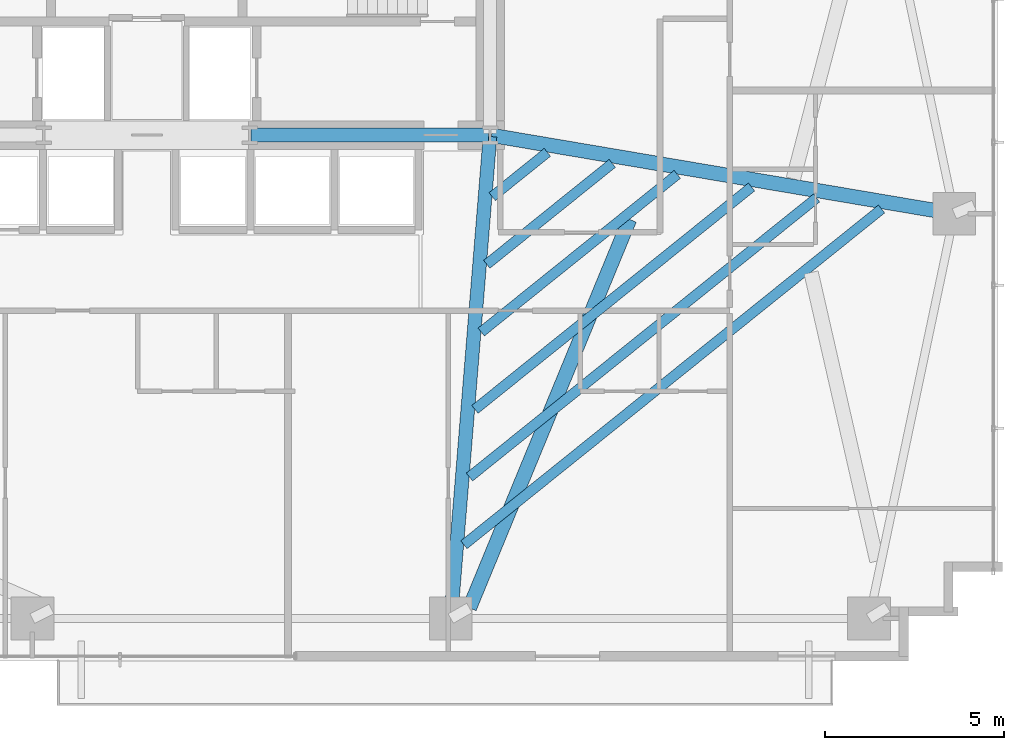
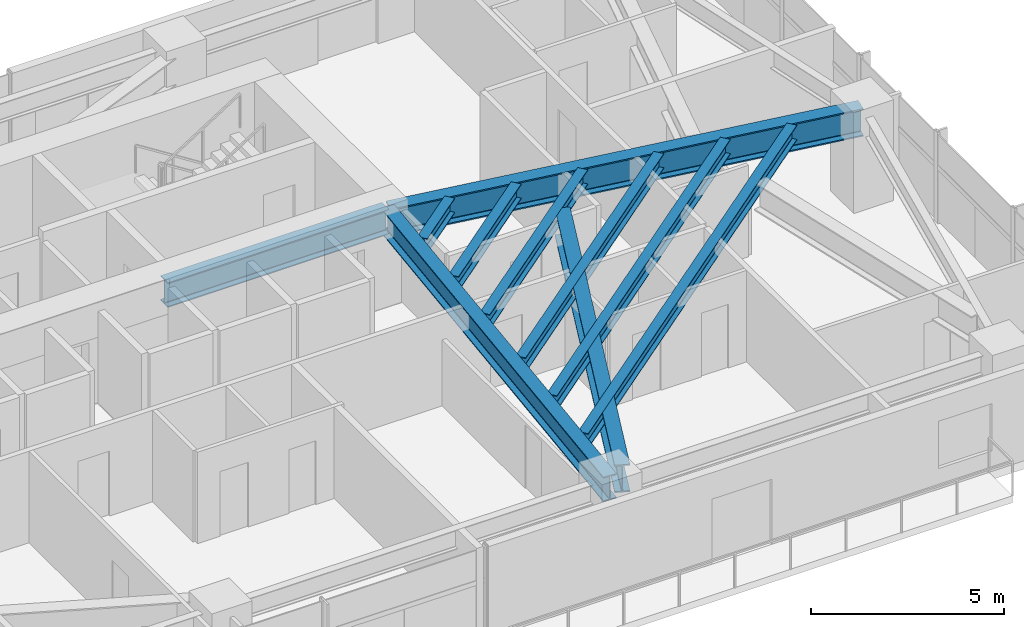
# One storey, part 13 of 25: 10 beams.
"""IFC4 building model written with IfcOpenShell, lengths in metres."""

from ifc_helpers import new_model, si_unit, direction, frame, origin, origin_2d, place, context, subcontext, project, spatial, i_section, extrude, source, transform, mapped, material, material_profile, profile_set, type_object, type_shapes, element, save


model = new_model("IFC4")

# Units and contexts
model_context = context("Model", 3, precision=1e-05, world=origin(), true_north=direction((0.0, 1.0)))
body_context = subcontext(model_context, "Body", "Model", "MODEL_VIEW")
ifc_project = project(units=[si_unit("LENGTHUNIT", "METRE"), si_unit("AREAUNIT", "SQUARE_METRE"), si_unit("VOLUMEUNIT", "CUBIC_METRE"), si_unit("PLANEANGLEUNIT", "RADIAN"), si_unit("MASSUNIT", "GRAM", prefix="KILO")], contexts=[model_context])

# Site, building, storey
site_placement = place(None, origin())
site = spatial("IfcSite", under=ifc_project, at=site_placement, CompositionType="ELEMENT")
building_placement = place(site_placement, origin())
building = spatial("IfcBuilding", under=site, at=building_placement, Name="Astriad Promenade Condominiums", CompositionType="ELEMENT")
storey_placement = place(building_placement, frame((0.0, 0.0, 64.60009765625)))
storey = spatial("IfcBuildingStorey", under=building, at=storey_placement, Name="L18", CompositionType="ELEMENT", Elevation=64.60009765625)

# Beams
ifc_material = material(Name="Steel ASTM A992 Grade 50", Category="steel")
ifc_material_profile_1 = material_profile(ifc_material, i_section(OverallWidth=0.3837890625, OverallDepth=0.785888671875, WebThickness=0.019775390625, FlangeThickness=0.033447265625, FilletRadius=0.021484375, at=origin_2d()), Name="W30X211")
ifc_profile_set_1 = profile_set([ifc_material_profile_1], Name="Steel ASTM A992 Grade 50")
beam_type_1 = type_object("IfcBeamType", Name="STEEL FLOOR GIRDER W30X211", PredefinedType="BEAM", material=ifc_profile_set_1)
shared_shape_1 = source(origin(), body_context, "Body", "SweptSolid", [
    extrude(i_section(OverallWidth=0.3837890625, OverallDepth=0.785888671875, WebThickness=0.019775390625, FlangeThickness=0.033447265625, FilletRadius=0.021484375, at=origin_2d()), origin(), (0.0, 0.0, 1.0), 6.64013671875),
])
beam_1_placement = place(storey_placement, frame((38.919921875, 17.39990234375, 2.507080078125), z_axis=(1.0, 0.0, 0.0), x_axis=(0.0, 1.0, 0.0)))
element("IfcBeam", 1, at=beam_1_placement, inside=storey, type_object=beam_type_1, Name="Core Ring Beam CG-S3-L18", PredefinedType="BEAM", context=body_context, shape_type="MappedRepresentation", body=[
    mapped(shared_shape_1, transform((0.0, 0.0, 0.0), scale=1.0)),
])
shared_shape_2 = source(origin(), body_context, "Body", "SweptSolid", [
    extrude(i_section(OverallWidth=0.3837890625, OverallDepth=0.785888671875, WebThickness=0.019775390625, FlangeThickness=0.033447265625, FilletRadius=0.021484375, at=origin_2d()), origin(), (0.0, 0.0, 1.0), 13.484619140625),
])
type_shapes(beam_type_1, [shared_shape_1, shared_shape_2])
beam_2_placement = place(storey_placement, frame((44.503173828125, 3.919921875, 2.507080078125), z_axis=(0.081092961134, 0.996706542396, 0.0), x_axis=(-0.996706542396, 0.081092961134, 0.0)))
element("IfcBeam", 2, at=beam_2_placement, inside=storey, type_object=beam_type_1, Name="Primary Floor Girder PG-E2-L18", PredefinedType="BEAM", context=body_context, shape_type="MappedRepresentation", body=[
    mapped(shared_shape_2, transform((0.0, 0.0, 0.0), scale=1.0)),
])
ifc_material_profile_2 = material_profile(ifc_material, i_section(OverallWidth=0.4013671875, OverallDepth=0.877197265625, WebThickness=0.022216796875, FlangeThickness=0.039794921875, FilletRadius=0.02294921875, at=origin_2d()), Name="W33X263")
ifc_profile_set_2 = profile_set([ifc_material_profile_2], Name="Steel ASTM A992 Grade 50")
beam_type_2 = type_object("IfcBeamType", Name="STEEL PRIMARY GIRDER W33X263", PredefinedType="BEAM", material=ifc_profile_set_2)
shared_shape_3 = source(origin(), body_context, "Body", "SweptSolid", [
    extrude(i_section(OverallWidth=0.4013671875, OverallDepth=0.877197265625, WebThickness=0.022216796875, FlangeThickness=0.039794921875, FilletRadius=0.02294921875, at=origin_2d()), origin(), (0.0, 0.0, 1.0), 13.085205078125),
])
type_shapes(beam_type_2, [shared_shape_3])
beam_3_placement = place(storey_placement, frame((58.54052734375, 15.206787109375, 2.461181640625), z_axis=(-0.985939912267, 0.167100237577, 0.0), x_axis=(-0.167100237577, -0.985939912267, 0.0)))
element("IfcBeam", 3, at=beam_3_placement, inside=storey, type_object=beam_type_2, Name="Primary Floor Girder PG-EM-L18", PredefinedType="BEAM", context=body_context, shape_type="MappedRepresentation", body=[
    mapped(shared_shape_3, transform((0.0, 0.0, 0.0), scale=1.0)),
])
ifc_material_profile_3 = material_profile(ifc_material, i_section(OverallWidth=0.283203125, OverallDepth=0.47216796875, WebThickness=0.013671875, FlangeThickness=0.022216796875, FilletRadius=0.01513671875, at=origin_2d()), Name="W18X97")
ifc_profile_set_3 = profile_set([ifc_material_profile_3], Name="Steel ASTM A992 Grade 50")
beam_type_3 = type_object("IfcBeamType", Name="STEEL FLOOR JOIST W18X97", PredefinedType="JOIST", material=ifc_profile_set_3)
shared_shape_4 = source(origin(), body_context, "Body", "SweptSolid", [
    extrude(i_section(OverallWidth=0.283203125, OverallDepth=0.47216796875, WebThickness=0.013671875, FlangeThickness=0.022216796875, FilletRadius=0.01513671875, at=origin_2d()), origin(), (0.0, 0.0, 1.0), 14.984375),
])
beam_4_placement = place(storey_placement, frame((44.867919921875, 5.944580078125, 2.663818359375), z_axis=(0.77934368876, 0.626596692291, 0.0), x_axis=(-0.626596692291, 0.77934368876, 0.0)))
element("IfcBeam", 4, at=beam_4_placement, inside=storey, type_object=beam_type_3, Name="Secondary Composite Floor Joist JE1-1-L18", PredefinedType="JOIST", context=body_context, shape_type="MappedRepresentation", body=[
    mapped(shared_shape_4, transform((0.0, 0.0, 0.0), scale=1.0)),
])
shared_shape_5 = source(origin(), body_context, "Body", "SweptSolid", [
    extrude(i_section(OverallWidth=0.283203125, OverallDepth=0.47216796875, WebThickness=0.013671875, FlangeThickness=0.022216796875, FilletRadius=0.01513671875, at=origin_2d()), origin(), (0.0, 0.0, 1.0), 12.455078125),
])
beam_5_placement = place(storey_placement, frame((45.021728515625, 7.83740234375, 2.663818359375), z_axis=(0.77935577594, 0.626581658292, 0.0), x_axis=(-0.626581658292, 0.77935577594, 0.0)))
element("IfcBeam", 5, at=beam_5_placement, inside=storey, type_object=beam_type_3, Name="Secondary Composite Floor Joist JE1-2-L18", PredefinedType="JOIST", context=body_context, shape_type="MappedRepresentation", body=[
    mapped(shared_shape_5, transform((0.0, 0.0, 0.0), scale=1.0)),
])
shared_shape_6 = source(origin(), body_context, "Body", "SweptSolid", [
    extrude(i_section(OverallWidth=0.283203125, OverallDepth=0.47216796875, WebThickness=0.013671875, FlangeThickness=0.022216796875, FilletRadius=0.01513671875, at=origin_2d()), origin(), (0.0, 0.0, 1.0), 9.926025390625),
])
beam_6_placement = place(storey_placement, frame((45.17578125, 9.730224609375, 2.663818359375), z_axis=(0.779352355084, 0.626585913203, 0.0), x_axis=(-0.626585913203, 0.779352355084, 0.0)))
element("IfcBeam", 6, at=beam_6_placement, inside=storey, type_object=beam_type_3, Name="Secondary Composite Floor Joist JE1-3-L18", PredefinedType="JOIST", context=body_context, shape_type="MappedRepresentation", body=[
    mapped(shared_shape_6, transform((0.0, 0.0, 0.0), scale=1.0)),
])
shared_shape_7 = source(origin(), body_context, "Body", "SweptSolid", [
    extrude(i_section(OverallWidth=0.283203125, OverallDepth=0.47216796875, WebThickness=0.013671875, FlangeThickness=0.022216796875, FilletRadius=0.01513671875, at=origin_2d()), origin(), (0.0, 0.0, 1.0), 7.03515625),
])
beam_7_placement = place(storey_placement, frame((45.351806640625, 11.8935546875, 2.663818359375), z_axis=(0.779349752639, 0.626589150131, 0.0), x_axis=(-0.626589150131, 0.779349752639, 0.0)))
element("IfcBeam", 7, at=beam_7_placement, inside=storey, type_object=beam_type_3, Name="Secondary Composite Floor Joist JE1-4-L18", PredefinedType="JOIST", context=body_context, shape_type="MappedRepresentation", body=[
    mapped(shared_shape_7, transform((0.0, 0.0, 0.0), scale=1.0)),
])
shared_shape_8 = source(origin(), body_context, "Body", "SweptSolid", [
    extrude(i_section(OverallWidth=0.283203125, OverallDepth=0.47216796875, WebThickness=0.013671875, FlangeThickness=0.022216796875, FilletRadius=0.01513671875, at=origin_2d()), origin(), (0.0, 0.0, 1.0), 4.505859375),
])
beam_8_placement = place(storey_placement, frame((45.505859375, 13.786376953125, 2.663818359375), z_axis=(0.779365294733, 0.626569818429, 0.0), x_axis=(-0.626569818429, 0.779365294733, 0.0)))
element("IfcBeam", 8, at=beam_8_placement, inside=storey, type_object=beam_type_3, Name="Secondary Composite Floor Joist JE1-5-L18", PredefinedType="JOIST", context=body_context, shape_type="MappedRepresentation", body=[
    mapped(shared_shape_8, transform((0.0, 0.0, 0.0), scale=1.0)),
])
shared_shape_9 = source(origin(), body_context, "Body", "SweptSolid", [
    extrude(i_section(OverallWidth=0.283203125, OverallDepth=0.47216796875, WebThickness=0.013671875, FlangeThickness=0.022216796875, FilletRadius=0.01513671875, at=origin_2d()), origin(), (0.0, 0.0, 1.0), 1.9765625),
])
type_shapes(beam_type_3, [shared_shape_4, shared_shape_5, shared_shape_6, shared_shape_7, shared_shape_8, shared_shape_9])
beam_9_placement = place(storey_placement, frame((45.659912109375, 15.67919921875, 2.663818359375), z_axis=(0.77936029648, 0.626576035506, 0.0), x_axis=(-0.626576035506, 0.77936029648, 0.0)))
element("IfcBeam", 9, at=beam_9_placement, inside=storey, type_object=beam_type_3, Name="Secondary Composite Floor Joist JE1-6-L18", PredefinedType="JOIST", context=body_context, shape_type="MappedRepresentation", body=[
    mapped(shared_shape_9, transform((0.0, 0.0, 0.0), scale=1.0)),
])
ifc_material_profile_4 = material_profile(ifc_material, i_section(OverallWidth=0.4013671875, OverallDepth=0.877197265625, WebThickness=0.022216796875, FlangeThickness=0.039794921875, FilletRadius=0.02294921875, at=origin_2d()), Name="W33X263")
ifc_profile_set_4 = profile_set([ifc_material_profile_4], Name="Steel ASTM A992 Grade 50")
beam_type_4 = type_object("IfcBeamType", Name="STEEL TRANSFER CARRIER GIRDER W33X263", PredefinedType="BEAM", material=ifc_profile_set_4)
shared_shape_10 = source(origin(), body_context, "Body", "SweptSolid", [
    extrude(i_section(OverallWidth=0.4013671875, OverallDepth=0.877197265625, WebThickness=0.022216796875, FlangeThickness=0.039794921875, FilletRadius=0.02294921875, at=origin_2d()), origin(), (0.0, 0.0, 1.0), 11.750244140625),
])
type_shapes(beam_type_4, [shared_shape_10])
beam_10_placement = place(storey_placement, frame((49.500732421875, 15.041259765625, 2.461181640625), z_axis=(-0.381124940089, -0.924523542179, 0.0), x_axis=(0.924523542179, -0.381124940089, 0.0)))
element("IfcBeam", 10, at=beam_10_placement, inside=storey, type_object=beam_type_4, Name="Transfer Splice Carrier TRM-SP-PC04-L18", PredefinedType="BEAM", context=body_context, shape_type="MappedRepresentation", body=[
    mapped(shared_shape_10, transform((0.0, 0.0, 0.0), scale=1.0)),
])

save(model, "model.ifc")
